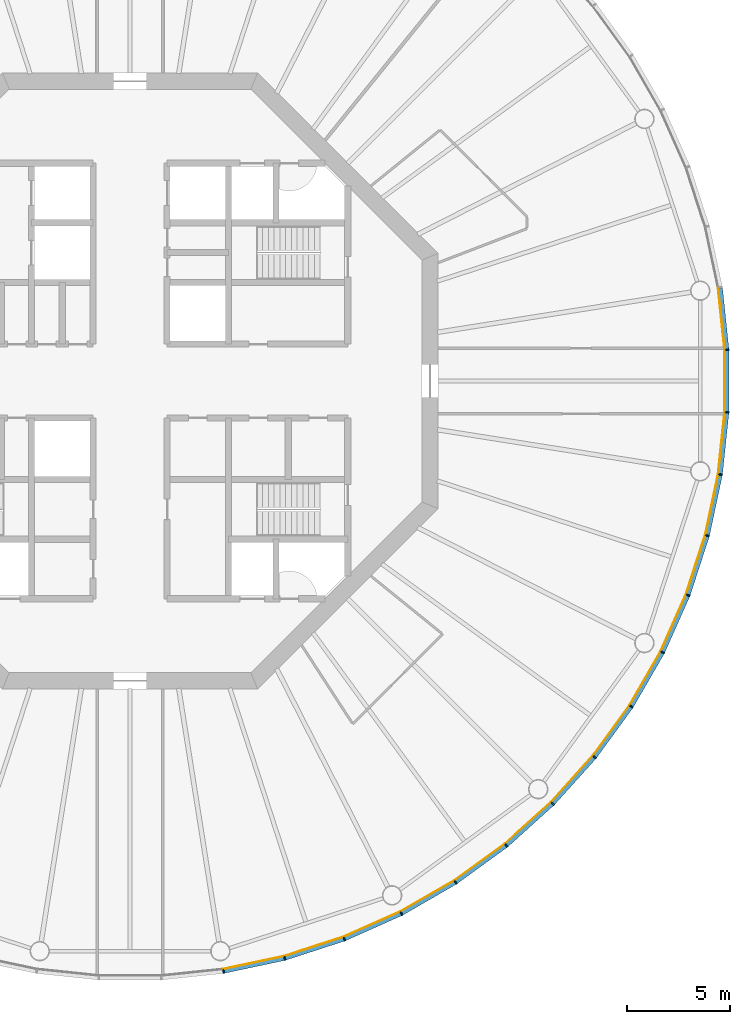
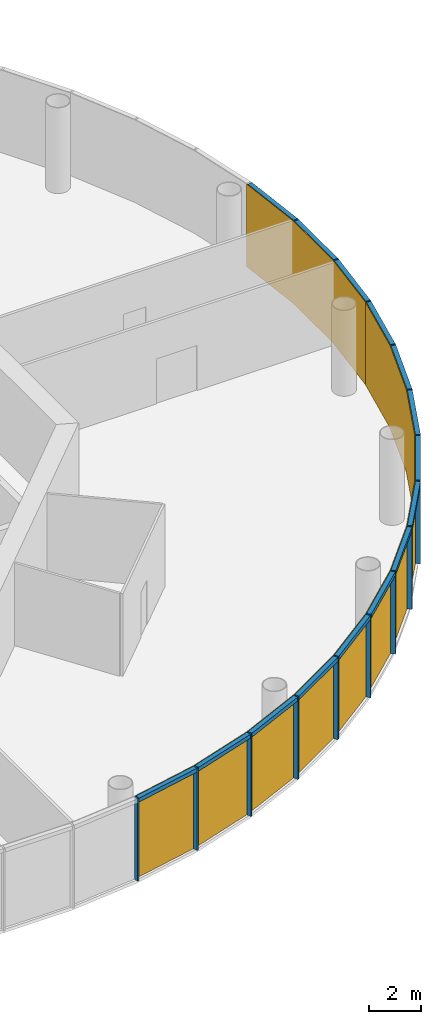
# One storey, part 9 of 13: 30 members, 5 curtain walls.
"""IFC4 building model written with IfcOpenShell, lengths in metres."""

from ifc_helpers import new_model, si_unit, direction, frame, origin, origin_2d, place, context, subcontext, project, spatial, polyline, rectangle, outline, extrude, material, layer, layer_set, material_profile, profile_set, type_object, element, aggregate, save


model = new_model("IFC4")

# Units and contexts
model_context = context("Model", 3, precision=1e-05, world=origin(), true_north=direction((0.0, 1.0)))
body_context = subcontext(model_context, "Body", "Model", "MODEL_VIEW")
ifc_project = project(units=[si_unit("LENGTHUNIT", "METRE"), si_unit("AREAUNIT", "SQUARE_METRE"), si_unit("VOLUMEUNIT", "CUBIC_METRE"), si_unit("PLANEANGLEUNIT", "RADIAN"), si_unit("MASSUNIT", "GRAM", prefix="KILO")], contexts=[model_context])

# Member
ifc_material_1 = material(Name="Anodised aluminium", Category="aluminium")
ifc_material_profile_1 = material_profile(ifc_material_1, rectangle(XDim=0.06494140625, YDim=0.195068359375, at=origin_2d()), Name="Mullion 65 x 195 mm anodised aluminium")
ifc_profile_set_1 = profile_set([ifc_material_profile_1], Name="Anodised aluminium")
member_type_1 = type_object("IfcMemberType", Name="Mullion 65 x 195 mm anodised aluminium", PredefinedType="MULLION", material=ifc_profile_set_1)
site_placement = place(None, origin())
building_placement = place(site_placement, origin())
storey_placement = place(building_placement, frame((0.0, 0.0, 278.0)))
member_1_placement = place(storey_placement, frame((94.5517578125, 51.2607421875, 0.0), z_axis=(0.0, 0.0, 1.0), x_axis=(0.987688340595, 0.15643446504, 0.0)))
member_1 = element("IfcMember", 1, at=member_1_placement, type_object=member_type_1, Name="MULLION L63-45", PredefinedType="MULLION", context=body_context, shape_type="SweptSolid", body=[
    extrude(rectangle(XDim=0.06494140625, YDim=0.195068359375, at=origin_2d()), origin(), (0.0, 0.0, 1.0), 3.85009765625),
])

member_2_placement = place(storey_placement, frame((97.531005859375, 51.89404296875, 0.0), z_axis=(0.0, 0.0, 1.0), x_axis=(0.965925826289, 0.258819045103, 0.0)))
member_2 = element("IfcMember", 2, at=member_2_placement, type_object=member_type_1, Name="MULLION L63-46", PredefinedType="MULLION", context=body_context, shape_type="SweptSolid", body=[
    extrude(rectangle(XDim=0.06494140625, YDim=0.195068359375, at=origin_2d()), origin(), (0.0, 0.0, 1.0), 3.85009765625),
])

member_3_placement = place(storey_placement, frame((100.427490234375, 52.835205078125, 0.0), z_axis=(0.0, 0.0, 1.0), x_axis=(0.933580426497, 0.358367949545, 0.0)))
member_3 = element("IfcMember", 3, at=member_3_placement, type_object=member_type_1, Name="MULLION L63-47", PredefinedType="MULLION", context=body_context, shape_type="SweptSolid", body=[
    extrude(rectangle(XDim=0.06494140625, YDim=0.195068359375, at=origin_2d()), origin(), (0.0, 0.0, 1.0), 3.85009765625),
])

member_4_placement = place(storey_placement, frame((103.2099609375, 54.073974609375, 0.0), z_axis=(0.0, 0.0, 1.0), x_axis=(0.891006524188, 0.45399049974, 0.0)))
member_4 = element("IfcMember", 4, at=member_4_placement, type_object=member_type_1, Name="MULLION L63-48", PredefinedType="MULLION", context=body_context, shape_type="SweptSolid", body=[
    extrude(rectangle(XDim=0.06494140625, YDim=0.195068359375, at=origin_2d()), origin(), (0.0, 0.0, 1.0), 3.85009765625),
])

member_5_placement = place(storey_placement, frame((105.84765625, 55.5966796875, 0.0), z_axis=(0.0, 0.0, 1.0), x_axis=(0.838670567945, 0.544639035015, 0.0)))
member_5 = element("IfcMember", 5, at=member_5_placement, type_object=member_type_1, Name="MULLION L63-49", PredefinedType="MULLION", context=body_context, shape_type="SweptSolid", body=[
    extrude(rectangle(XDim=0.06494140625, YDim=0.195068359375, at=origin_2d()), origin(), (0.0, 0.0, 1.0), 3.85009765625),
])

member_6_placement = place(storey_placement, frame((108.311767578125, 57.386962890625, 0.0), z_axis=(0.0, 0.0, 1.0), x_axis=(0.777145961457, 0.62932039105, 0.0)))
member_6 = element("IfcMember", 6, at=member_6_placement, type_object=member_type_1, Name="MULLION L63-50", PredefinedType="MULLION", context=body_context, shape_type="SweptSolid", body=[
    extrude(rectangle(XDim=0.06494140625, YDim=0.195068359375, at=origin_2d()), origin(), (0.0, 0.0, 1.0), 3.85009765625),
])

member_7_placement = place(storey_placement, frame((110.574951171875, 59.425048828125, 0.0), z_axis=(0.0, 0.0, 1.0), x_axis=(0.707106781187, 0.707106781187, 0.0)))
member_7 = element("IfcMember", 7, at=member_7_placement, type_object=member_type_1, Name="MULLION L63-51", PredefinedType="MULLION", context=body_context, shape_type="SweptSolid", body=[
    extrude(rectangle(XDim=0.06494140625, YDim=0.195068359375, at=origin_2d()), origin(), (0.0, 0.0, 1.0), 3.85009765625),
])

member_8_placement = place(storey_placement, frame((112.613037109375, 61.688232421875, 0.0), z_axis=(0.0, 0.0, 1.0), x_axis=(0.62932039105, 0.777145961457, 0.0)))
member_8 = element("IfcMember", 8, at=member_8_placement, type_object=member_type_1, Name="MULLION L63-52", PredefinedType="MULLION", context=body_context, shape_type="SweptSolid", body=[
    extrude(rectangle(XDim=0.06494140625, YDim=0.195068359375, at=origin_2d()), origin(), (0.0, 0.0, 1.0), 3.85009765625),
])

member_9_placement = place(storey_placement, frame((114.4033203125, 64.15234375, 0.0), z_axis=(0.0, 0.0, 1.0), x_axis=(0.544639035015, 0.838670567945, 0.0)))
member_9 = element("IfcMember", 9, at=member_9_placement, type_object=member_type_1, Name="MULLION L63-53", PredefinedType="MULLION", context=body_context, shape_type="SweptSolid", body=[
    extrude(rectangle(XDim=0.06494140625, YDim=0.195068359375, at=origin_2d()), origin(), (0.0, 0.0, 1.0), 3.85009765625),
])

member_10_placement = place(storey_placement, frame((115.926025390625, 66.7900390625, 0.0), z_axis=(0.0, 0.0, 1.0), x_axis=(0.45399049974, 0.891006524188, 0.0)))
member_10 = element("IfcMember", 10, at=member_10_placement, type_object=member_type_1, Name="MULLION L63-54", PredefinedType="MULLION", context=body_context, shape_type="SweptSolid", body=[
    extrude(rectangle(XDim=0.06494140625, YDim=0.195068359375, at=origin_2d()), origin(), (0.0, 0.0, 1.0), 3.85009765625),
])

member_11_placement = place(storey_placement, frame((117.164794921875, 69.572509765625, 0.0), z_axis=(0.0, 0.0, 1.0), x_axis=(0.358367949545, 0.933580426497, 0.0)))
member_11 = element("IfcMember", 11, at=member_11_placement, type_object=member_type_1, Name="MULLION L63-55", PredefinedType="MULLION", context=body_context, shape_type="SweptSolid", body=[
    extrude(rectangle(XDim=0.06494140625, YDim=0.195068359375, at=origin_2d()), origin(), (0.0, 0.0, 1.0), 3.85009765625),
])

member_12_placement = place(storey_placement, frame((118.10595703125, 72.468994140625, 0.0), z_axis=(0.0, 0.0, 1.0), x_axis=(0.258819045103, 0.965925826289, 0.0)))
member_12 = element("IfcMember", 12, at=member_12_placement, type_object=member_type_1, Name="MULLION L63-56", PredefinedType="MULLION", context=body_context, shape_type="SweptSolid", body=[
    extrude(rectangle(XDim=0.06494140625, YDim=0.195068359375, at=origin_2d()), origin(), (0.0, 0.0, 1.0), 3.85009765625),
])

member_13_placement = place(storey_placement, frame((118.7392578125, 75.4482421875, 0.0), z_axis=(0.0, 0.0, 1.0), x_axis=(0.15643446504, 0.987688340595, 0.0)))
member_13 = element("IfcMember", 13, at=member_13_placement, type_object=member_type_1, Name="MULLION L63-57", PredefinedType="MULLION", context=body_context, shape_type="SweptSolid", body=[
    extrude(rectangle(XDim=0.06494140625, YDim=0.195068359375, at=origin_2d()), origin(), (0.0, 0.0, 1.0), 3.85009765625),
])

member_14_placement = place(storey_placement, frame((119.0576171875, 78.47705078125, 0.0), z_axis=(0.0, 0.0, 1.0), x_axis=(0.052335956243, 0.998629534755, 0.0)))
member_14 = element("IfcMember", 14, at=member_14_placement, type_object=member_type_1, Name="MULLION L63-58", PredefinedType="MULLION", context=body_context, shape_type="SweptSolid", body=[
    extrude(rectangle(XDim=0.06494140625, YDim=0.195068359375, at=origin_2d()), origin(), (0.0, 0.0, 1.0), 3.85009765625),
])

member_15_placement = place(storey_placement, frame((119.0576171875, 81.52294921875, 0.0), z_axis=(0.0, 0.0, 1.0), x_axis=(-0.052335956243, 0.998629534755, 0.0)))
member_15 = element("IfcMember", 15, at=member_15_placement, type_object=member_type_1, Name="MULLION L63-59", PredefinedType="MULLION", context=body_context, shape_type="SweptSolid", body=[
    extrude(rectangle(XDim=0.06494140625, YDim=0.195068359375, at=origin_2d()), origin(), (0.0, 0.0, 1.0), 3.85009765625),
])

ifc_material_2 = material(Name="Anodised aluminium", Category="aluminium")
ifc_material_profile_2 = material_profile(ifc_material_2, rectangle(XDim=0.195068359375, YDim=0.179931640625, at=origin_2d()), Name="Transom 180 x 195 mm anodised aluminium")
ifc_profile_set_2 = profile_set([ifc_material_profile_2], Name="Anodised aluminium")
member_type_2 = type_object("IfcMemberType", Name="Transom 180 x 195 mm anodised aluminium", PredefinedType="USERDEFINED", material=ifc_profile_set_2)
member_16_placement = place(storey_placement, frame((94.588623046875, 51.268310546875, 3.760009765625), z_axis=(0.978141510112, 0.207940342877, 0.0), x_axis=(-0.207940342877, 0.978141510112, 0.0)))
member_16 = element("IfcMember", 16, at=member_16_placement, type_object=member_type_2, Name="TRANSOM L63-45", ObjectType="TRANSOM", PredefinedType="USERDEFINED", context=body_context, shape_type="SweptSolid", body=[
    extrude(rectangle(XDim=0.195068359375, YDim=0.179931640625, at=origin_2d()), origin(), (0.0, 0.0, 1.0), 2.970458984375),
])

member_17_placement = place(storey_placement, frame((97.56689453125, 51.905517578125, 3.760009765625), z_axis=(0.951047960094, 0.309043326415, 0.0), x_axis=(-0.309043326415, 0.951047960094, 0.0)))
member_17 = element("IfcMember", 17, at=member_17_placement, type_object=member_type_2, Name="TRANSOM L63-46", ObjectType="TRANSOM", PredefinedType="USERDEFINED", context=body_context, shape_type="SweptSolid", body=[
    extrude(rectangle(XDim=0.195068359375, YDim=0.179931640625, at=origin_2d()), origin(), (0.0, 0.0, 1.0), 2.970458984375),
])

member_18_placement = place(storey_placement, frame((100.4619140625, 52.850341796875, 3.760009765625), z_axis=(0.913550406593, 0.406725527369, 0.0), x_axis=(-0.406725527369, 0.913550406593, 0.0)))
member_18 = element("IfcMember", 18, at=member_18_placement, type_object=member_type_2, Name="TRANSOM L63-47", ObjectType="TRANSOM", PredefinedType="USERDEFINED", context=body_context, shape_type="SweptSolid", body=[
    extrude(rectangle(XDim=0.195068359375, YDim=0.179931640625, at=origin_2d()), origin(), (0.0, 0.0, 1.0), 2.970703125),
])

member_19_placement = place(storey_placement, frame((103.24267578125, 54.092529296875, 3.760009765625), z_axis=(0.866009025146, 0.500028367561, 0.0), x_axis=(-0.500028367561, 0.866009025146, 0.0)))
member_19 = element("IfcMember", 19, at=member_19_placement, type_object=member_type_2, Name="TRANSOM L63-48", ObjectType="TRANSOM", PredefinedType="USERDEFINED", context=body_context, shape_type="SweptSolid", body=[
    extrude(rectangle(XDim=0.195068359375, YDim=0.179931640625, at=origin_2d()), origin(), (0.0, 0.0, 1.0), 2.970458984375),
])

member_20_placement = place(storey_placement, frame((105.878173828125, 55.618896484375, 3.760009765625), z_axis=(0.809030990733, 0.587765987476, 0.0), x_axis=(-0.587765987476, 0.809030990733, 0.0)))
member_20 = element("IfcMember", 20, at=member_20_placement, type_object=member_type_2, Name="TRANSOM L63-49", ObjectType="TRANSOM", PredefinedType="USERDEFINED", context=body_context, shape_type="SweptSolid", body=[
    extrude(rectangle(XDim=0.195068359375, YDim=0.179931640625, at=origin_2d()), origin(), (0.0, 0.0, 1.0), 2.97021484375),
])

member_21_placement = place(storey_placement, frame((108.339599609375, 57.412109375, 3.760009765625), z_axis=(0.743163354343, 0.669110027395, 0.0), x_axis=(-0.669110027395, 0.743163354343, 0.0)))
member_21 = element("IfcMember", 21, at=member_21_placement, type_object=member_type_2, Name="TRANSOM L63-50", ObjectType="TRANSOM", PredefinedType="USERDEFINED", context=body_context, shape_type="SweptSolid", body=[
    extrude(rectangle(XDim=0.195068359375, YDim=0.179931640625, at=origin_2d()), origin(), (0.0, 0.0, 1.0), 2.970458984375),
])

member_22_placement = place(storey_placement, frame((110.600341796875, 59.452880859375, 3.760009765625), z_axis=(0.669110027395, 0.743163354343, 0.0), x_axis=(-0.743163354343, 0.669110027395, 0.0)))
member_22 = element("IfcMember", 22, at=member_22_placement, type_object=member_type_2, Name="TRANSOM L63-51", ObjectType="TRANSOM", PredefinedType="USERDEFINED", context=body_context, shape_type="SweptSolid", body=[
    extrude(rectangle(XDim=0.195068359375, YDim=0.179931640625, at=origin_2d()), origin(), (0.0, 0.0, 1.0), 2.970458984375),
])

member_23_placement = place(storey_placement, frame((112.63525390625, 61.71875, 3.760009765625), z_axis=(0.587765987476, 0.809030990733, 0.0), x_axis=(-0.809030990733, 0.587765987476, 0.0)))
member_23 = element("IfcMember", 23, at=member_23_placement, type_object=member_type_2, Name="TRANSOM L63-52", ObjectType="TRANSOM", PredefinedType="USERDEFINED", context=body_context, shape_type="SweptSolid", body=[
    extrude(rectangle(XDim=0.195068359375, YDim=0.179931640625, at=origin_2d()), origin(), (0.0, 0.0, 1.0), 2.97021484375),
])

member_24_placement = place(storey_placement, frame((114.422119140625, 64.184814453125, 3.760009765625), z_axis=(0.500028367561, 0.866009025146, 0.0), x_axis=(-0.866009025146, 0.500028367561, 0.0)))
member_24 = element("IfcMember", 24, at=member_24_placement, type_object=member_type_2, Name="TRANSOM L63-53", ObjectType="TRANSOM", PredefinedType="USERDEFINED", context=body_context, shape_type="SweptSolid", body=[
    extrude(rectangle(XDim=0.195068359375, YDim=0.179931640625, at=origin_2d()), origin(), (0.0, 0.0, 1.0), 2.970458984375),
])

member_25_placement = place(storey_placement, frame((115.94140625, 66.82421875, 3.760009765625), z_axis=(0.406725527369, 0.913550406593, 0.0), x_axis=(-0.913550406593, 0.406725527369, 0.0)))
member_25 = element("IfcMember", 25, at=member_25_placement, type_object=member_type_2, Name="TRANSOM L63-54", ObjectType="TRANSOM", PredefinedType="USERDEFINED", context=body_context, shape_type="SweptSolid", body=[
    extrude(rectangle(XDim=0.195068359375, YDim=0.179931640625, at=origin_2d()), origin(), (0.0, 0.0, 1.0), 2.970703125),
])

member_26_placement = place(storey_placement, frame((117.176513671875, 69.608154296875, 3.760009765625), z_axis=(0.309043326415, 0.951047960094, 0.0), x_axis=(-0.951047960094, 0.309043326415, 0.0)))
member_26 = element("IfcMember", 26, at=member_26_placement, type_object=member_type_2, Name="TRANSOM L63-55", ObjectType="TRANSOM", PredefinedType="USERDEFINED", context=body_context, shape_type="SweptSolid", body=[
    extrude(rectangle(XDim=0.195068359375, YDim=0.179931640625, at=origin_2d()), origin(), (0.0, 0.0, 1.0), 2.970458984375),
])

member_27_placement = place(storey_placement, frame((118.114013671875, 72.505859375, 3.760009765625), z_axis=(0.207940342877, 0.978141510112, 0.0), x_axis=(-0.978141510112, 0.207940342877, 0.0)))
member_27 = element("IfcMember", 27, at=member_27_placement, type_object=member_type_2, Name="TRANSOM L63-56", ObjectType="TRANSOM", PredefinedType="USERDEFINED", context=body_context, shape_type="SweptSolid", body=[
    extrude(rectangle(XDim=0.195068359375, YDim=0.179931640625, at=origin_2d()), origin(), (0.0, 0.0, 1.0), 2.970458984375),
])

member_28_placement = place(storey_placement, frame((118.743408203125, 75.485595703125, 3.760009765625), z_axis=(0.104466577987, 0.994528397827, 0.0), x_axis=(-0.994528397827, 0.104466577987, 0.0)))
member_28 = element("IfcMember", 28, at=member_28_placement, type_object=member_type_2, Name="TRANSOM L63-57", ObjectType="TRANSOM", PredefinedType="USERDEFINED", context=body_context, shape_type="SweptSolid", body=[
    extrude(rectangle(XDim=0.195068359375, YDim=0.179931640625, at=origin_2d()), origin(), (0.0, 0.0, 1.0), 2.970458984375),
])

member_29_placement = place(storey_placement, frame((119.057861328125, 78.5146484375, 3.760009765625), z_axis=(0.0, 1.0, 0.0), x_axis=(-1.0, 0.0, 0.0)))
member_29 = element("IfcMember", 29, at=member_29_placement, type_object=member_type_2, Name="TRANSOM L63-58", ObjectType="TRANSOM", PredefinedType="USERDEFINED", context=body_context, shape_type="SweptSolid", body=[
    extrude(rectangle(XDim=0.195068359375, YDim=0.179931640625, at=origin_2d()), origin(), (0.0, 0.0, 1.0), 2.970703125),
])

member_30_placement = place(storey_placement, frame((119.0537109375, 81.560302734375, 3.760009765625), z_axis=(-0.104466577987, 0.994528397827, 0.0), x_axis=(-0.994528397827, -0.104466577987, 0.0)))
member_30 = element("IfcMember", 30, at=member_30_placement, type_object=member_type_2, Name="TRANSOM L63-59", ObjectType="TRANSOM", PredefinedType="USERDEFINED", context=body_context, shape_type="SweptSolid", body=[
    extrude(rectangle(XDim=0.195068359375, YDim=0.179931640625, at=origin_2d()), origin(), (0.0, 0.0, 1.0), 2.970458984375),
])

# Site, building, storey
site = spatial("IfcSite", under=ifc_project, at=site_placement, CompositionType="ELEMENT")
building = spatial("IfcBuilding", under=site, at=building_placement, Name="Entoto Ring Tower", CompositionType="ELEMENT")
storey = spatial("IfcBuildingStorey", under=building, at=storey_placement, Name="L63", CompositionType="ELEMENT", Elevation=278.0)

# Curtain wall
ifc_material_3 = material(Name="Clear low-iron glass", Category="glass")
ifc_layer = layer(ifc_material_3, 0.033935546875)
ifc_layer_set = layer_set([ifc_layer], Name="Clear low-iron glass")
curtain_wall_type = type_object("IfcCurtainWallType", Name="Curtain wall system CW5 glazing 34 mm", PredefinedType="NOTDEFINED", material=ifc_layer_set)
curtain_wall_1_placement = place(storey_placement, origin())
curtain_wall_1 = element("IfcCurtainWall", 31, at=curtain_wall_1_placement, inside=storey, type_object=curtain_wall_type, Name="CW5 L63-16", PredefinedType="NOTDEFINED", context=body_context, shape_type="SweptSolid", body=[
    extrude(outline(polyline([(94.53662109375, 51.35693359375), (97.505859375, 51.988037109375), (100.392578125, 52.92626953125), (103.165771484375, 54.160888671875), (103.150146484375, 54.191162109375), (100.38037109375, 52.9580078125), (97.496826171875, 52.02099609375), (94.53125, 51.390625), (94.53662109375, 51.35693359375)])), origin(), (0.0, 0.0, 1.0), 3.85009765625),
])

aggregate(curtain_wall_1, [member_1, member_2, member_3, member_16, member_17, member_18])

curtain_wall_2_placement = place(storey_placement, origin())
curtain_wall_2 = element("IfcCurtainWall", 32, at=curtain_wall_2_placement, inside=storey, type_object=curtain_wall_type, Name="CW5 L63-17", PredefinedType="NOTDEFINED", context=body_context, shape_type="SweptSolid", body=[
    extrude(outline(polyline([(103.165771484375, 54.160888671875), (105.79443359375, 55.678466796875), (108.250244140625, 57.462646484375), (110.506103515625, 59.493896484375), (110.48193359375, 59.51806640625), (108.228759765625, 57.4892578125), (105.77587890625, 55.70703125), (103.150146484375, 54.191162109375), (103.165771484375, 54.160888671875)])), origin(), (0.0, 0.0, 1.0), 3.85009765625),
])

aggregate(curtain_wall_2, [member_4, member_5, member_6, member_19, member_20, member_21])

curtain_wall_3_placement = place(storey_placement, origin())
curtain_wall_3 = element("IfcCurtainWall", 33, at=curtain_wall_3_placement, inside=storey, type_object=curtain_wall_type, Name="CW5 L63-18", PredefinedType="NOTDEFINED", context=body_context, shape_type="SweptSolid", body=[
    extrude(outline(polyline([(110.506103515625, 59.493896484375), (112.537353515625, 61.749755859375), (114.321533203125, 64.20556640625), (115.839111328125, 66.834228515625), (115.808837890625, 66.849853515625), (114.29296875, 64.22412109375), (112.5107421875, 61.771240234375), (110.48193359375, 59.51806640625), (110.506103515625, 59.493896484375)])), origin(), (0.0, 0.0, 1.0), 3.85009765625),
])

aggregate(curtain_wall_3, [member_7, member_8, member_9, member_22, member_23, member_24])

curtain_wall_4_placement = place(storey_placement, origin())
curtain_wall_4 = element("IfcCurtainWall", 34, at=curtain_wall_4_placement, inside=storey, type_object=curtain_wall_type, Name="CW5 L63-19", PredefinedType="NOTDEFINED", context=body_context, shape_type="SweptSolid", body=[
    extrude(outline(polyline([(115.839111328125, 66.834228515625), (117.07373046875, 69.607421875), (118.011962890625, 72.494140625), (118.64306640625, 75.46337890625), (118.609375, 75.46875), (117.97900390625, 72.503173828125), (117.0419921875, 69.61962890625), (115.808837890625, 66.849853515625), (115.839111328125, 66.834228515625)])), origin(), (0.0, 0.0, 1.0), 3.85009765625),
])

aggregate(curtain_wall_4, [member_10, member_11, member_12, member_25, member_26, member_27])

curtain_wall_5_placement = place(storey_placement, origin())
curtain_wall_5 = element("IfcCurtainWall", 35, at=curtain_wall_5_placement, inside=storey, type_object=curtain_wall_type, Name="CW5 L63-20", PredefinedType="NOTDEFINED", context=body_context, shape_type="SweptSolid", body=[
    extrude(outline(polyline([(118.64306640625, 75.46337890625), (118.960205078125, 78.482177734375), (118.960205078125, 81.517822265625), (118.64306640625, 84.53662109375), (118.609375, 84.53125), (118.92626953125, 81.515869140625), (118.92626953125, 78.484130859375), (118.609375, 75.46875), (118.64306640625, 75.46337890625)])), origin(), (0.0, 0.0, 1.0), 3.85009765625),
])

aggregate(curtain_wall_5, [member_13, member_14, member_15, member_28, member_29, member_30])

save(model, "model.ifc")
